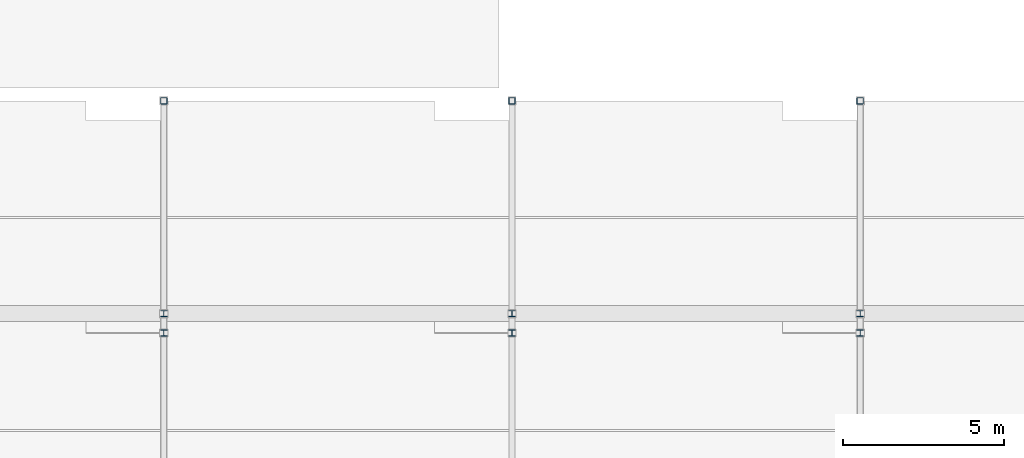
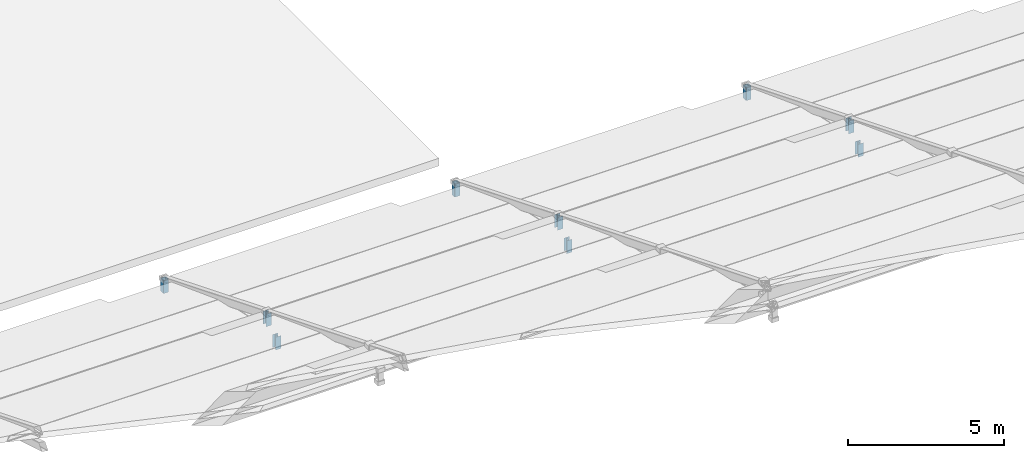
# One storey, part 94 of 112: 9 members.
"""IFC4 building model written with IfcOpenShell, lengths in metres."""

from ifc_helpers import new_model, si_unit, direction, frame, origin, origin_2d, place, context, subcontext, project, spatial, hollow_rectangle, i_section, extrude, material, material_profile, profile_set, type_object, element, save


model = new_model("IFC4")

# Units and contexts
model_context = context("Model", 3, precision=1e-05, world=origin(), true_north=direction((0.0, 1.0)))
body_context = subcontext(model_context, "Body", "Model", "MODEL_VIEW")
ifc_project = project(units=[si_unit("LENGTHUNIT", "METRE"), si_unit("AREAUNIT", "SQUARE_METRE"), si_unit("VOLUMEUNIT", "CUBIC_METRE"), si_unit("PLANEANGLEUNIT", "RADIAN"), si_unit("MASSUNIT", "GRAM", prefix="KILO")], contexts=[model_context])

# Site, building, storey
site_placement = place(None, origin())
site = spatial("IfcSite", under=ifc_project, at=site_placement, CompositionType="ELEMENT")
building_placement = place(site_placement, origin())
building = spatial("IfcBuilding", under=site, at=building_placement, Name="Zwinboog Wholesale Market", CompositionType="ELEMENT")
storey_placement = place(building_placement, frame((0.0, 0.0, 19.080078125)))
storey = spatial("IfcBuildingStorey", under=building, at=storey_placement, Name="Roof", CompositionType="ELEMENT", Elevation=19.080078125)

# Members
ifc_material = material(Name="Steel S355", Category="steel")
ifc_material_profile_1 = material_profile(ifc_material, hollow_rectangle(XDim=0.199951171875, YDim=0.199951171875, WallThickness=0.010009765625, InnerFilletRadius=0.010009765625, OuterFilletRadius=0.02001953125, at=origin_2d()), Name="SHS 200x200x10")
ifc_profile_set_1 = profile_set([ifc_material_profile_1], Name="Steel S355")
member_type_1 = type_object("IfcMemberType", Name="MT-04", PredefinedType="BRACE", material=ifc_profile_set_1)
for number, where, z_axis, x_axis, name in (
    (1, (129.60009765625, 108.0, -10.030029296875), (0.0, 0.0, 1.0), (1.0, 0.0, 0.0), "DB-01 (MEM-Roof-0195)"),
    (2, (140.39990234375, 108.0, -10.030029296875), (0.0, 0.0, 1.0), (1.0, 0.0, 0.0), "DB-01 (MEM-Roof-0225)"),
    (3, (151.199951171875, 108.0, -10.030029296875), (0.0, 0.0, 1.0), (1.0, 0.0, 0.0), "DB-01 (MEM-Roof-0255)"),
):
    element("IfcMember", number, at=place(storey_placement, frame(where, z_axis=z_axis, x_axis=x_axis)), inside=storey, type_object=member_type_1, Name=name, PredefinedType="BRACE", context=body_context, shape_type="SweptSolid", body=[
        extrude(hollow_rectangle(XDim=0.199951171875, YDim=0.199951171875, WallThickness=0.010009765625, InnerFilletRadius=0.010009765625, OuterFilletRadius=0.02001953125, at=origin_2d()), origin(), (0.0, 0.0, 1.0), 0.5),
    ])
ifc_material_profile_2 = material_profile(ifc_material, i_section(OverallWidth=0.199951171875, OverallDepth=0.18994140625, WebThickness=0.006591796875, FlangeThickness=0.010009765625, FilletRadius=0.01806640625, at=origin_2d()), Name="HEA 200")
ifc_profile_set_2 = profile_set([ifc_material_profile_2], Name="Steel S355")
member_type_2 = type_object("IfcMemberType", Name="MT-05", PredefinedType="BRACE", material=ifc_profile_set_2)
for number, where, z_axis, x_axis, name in (
    (4, (129.60009765625, 100.800048828125, -7.880126953125), (0.0, 0.0, 1.0), (1.0, 0.0, 0.0), "DB-02 (MEM-Roof-0196)"),
    (5, (129.60009765625, 101.39990234375, -7.330078125), (0.0, 0.0, 1.0), (1.0, 0.0, 0.0), "DB-02 (MEM-Roof-0198)"),
    (6, (140.39990234375, 100.800048828125, -7.880126953125), (0.0, 0.0, 1.0), (1.0, 0.0, 0.0), "DB-02 (MEM-Roof-0226)"),
    (7, (140.39990234375, 101.39990234375, -7.330078125), (0.0, 0.0, 1.0), (1.0, 0.0, 0.0), "DB-02 (MEM-Roof-0228)"),
    (8, (151.199951171875, 100.800048828125, -7.880126953125), (0.0, 0.0, 1.0), (1.0, 0.0, 0.0), "DB-02 (MEM-Roof-0256)"),
    (9, (151.199951171875, 101.39990234375, -7.330078125), (0.0, 0.0, 1.0), (1.0, 0.0, 0.0), "DB-02 (MEM-Roof-0258)"),
):
    element("IfcMember", number, at=place(storey_placement, frame(where, z_axis=z_axis, x_axis=x_axis)), inside=storey, type_object=member_type_2, Name=name, PredefinedType="BRACE", context=body_context, shape_type="SweptSolid", body=[
        extrude(i_section(OverallWidth=0.199951171875, OverallDepth=0.18994140625, WebThickness=0.006591796875, FlangeThickness=0.010009765625, FilletRadius=0.01806640625, at=origin_2d()), origin(), (0.0, 0.0, 1.0), 0.5),
    ])

save(model, "model.ifc")
